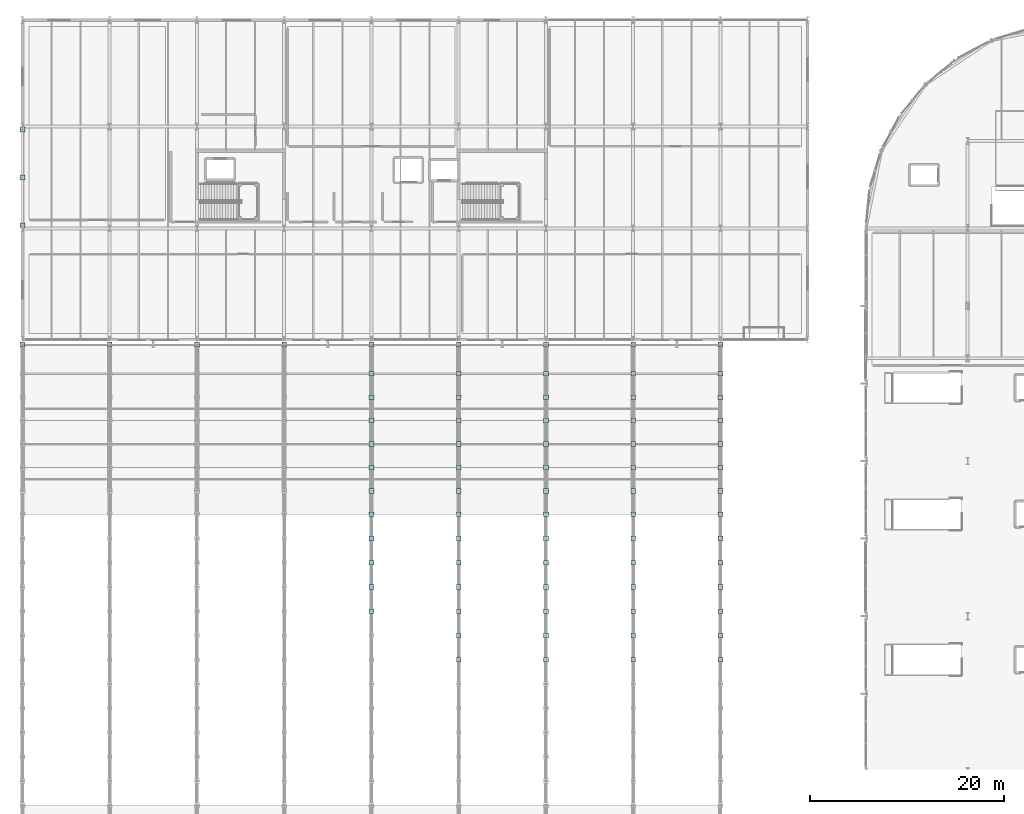
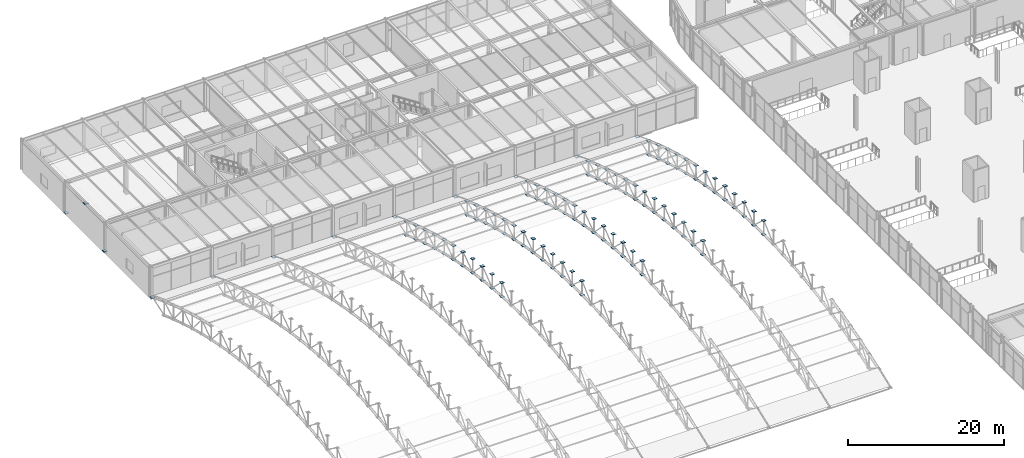
# One storey, part 105 of 195: 138 plates.
"""IFC4 building model written with IfcOpenShell, lengths in metres."""

from ifc_helpers import new_model, si_unit, direction, frame, origin, origin_2d, place, context, subcontext, project, spatial, rectangle, extrude, material, layer, layer_set, type_object, element, save


model = new_model("IFC4")

# Units and contexts
model_context = context("Model", 3, precision=1e-05, world=origin(), true_north=direction((0.0, 1.0)))
body_context = subcontext(model_context, "Body", "Model", "MODEL_VIEW")
ifc_project = project(units=[si_unit("LENGTHUNIT", "METRE"), si_unit("AREAUNIT", "SQUARE_METRE"), si_unit("VOLUMEUNIT", "CUBIC_METRE"), si_unit("PLANEANGLEUNIT", "RADIAN"), si_unit("MASSUNIT", "GRAM", prefix="KILO")], contexts=[model_context])

# Site, building, storey
site_placement = place(None, origin())
site = spatial("IfcSite", under=ifc_project, at=site_placement, CompositionType="ELEMENT")
building_placement = place(site_placement, origin())
building = spatial("IfcBuilding", under=site, at=building_placement, Name="Marlcrest Central Station", CompositionType="ELEMENT")
storey_placement = place(building_placement, frame((0.0, 0.0, 9.800048828125)))
storey = spatial("IfcBuildingStorey", under=building, at=storey_placement, Name="L02", CompositionType="ELEMENT", Elevation=9.800048828125)

# Plates
ifc_material = material(Name="Steel S355", Category="steel")
ifc_layer = layer(ifc_material, 0.02001953125, Name="GP-03")
ifc_layer_set = layer_set([ifc_layer], Name="Steel S355")
plate_type = type_object("IfcPlateType", Name="GP-03", PredefinedType="USERDEFINED", material=ifc_layer_set)
for number, where, z_axis, x_axis, name in (
    (1, (0.0, 110.800048828125, 0.239990234375), (0.0, 0.0, 1.0), (1.0, 0.0, 0.0), "plt-cap-00047"),
    (2, (0.0, 115.75, 4.739990234375), (0.0, 0.0, 1.0), (1.0, 0.0, 0.0), "plt-cap-00048"),
    (3, (0.0, 120.699951171875, 0.239990234375), (0.0, 0.0, 1.0), (1.0, 0.0, 0.0), "plt-cap-00049"),
    (4, (0.0, 98.5, 0.435791015625), (0.0, 0.0, 1.0), (1.0, 0.0, 0.0), "plt-cap-00164"),
    (5, (9.0, 98.5, 0.435791015625), (0.0, 0.0, 1.0), (1.0, 0.0, 0.0), "plt-cap-00216"),
    (6, (18.0, 98.5, 0.435791015625), (0.0, 0.0, 1.0), (1.0, 0.0, 0.0), "plt-cap-00268"),
    (7, (27.0, 98.5, 0.435791015625), (0.0, 0.0, 1.0), (1.0, 0.0, 0.0), "plt-cap-00320"),
    (8, (36.0, 71.0, 6.8349609375), (0.0, 0.0, 1.0), (1.0, 0.0, 0.0), "plt-cap-00350"),
    (9, (36.0, 71.0, 4.634765625), (0.0, 0.0, 1.0), (1.0, 0.0, 0.0), "plt-cap-00351"),
    (10, (36.0, 73.5, 4.44091796875), (0.0, 0.0, 1.0), (1.0, 0.0, 0.0), "plt-cap-00352"),
    (11, (36.0, 73.5, 6.640869140625), (0.0, 0.0, 1.0), (1.0, 0.0, 0.0), "plt-cap-00353"),
    (12, (36.0, 76.0, 6.369384765625), (0.0, 0.0, 1.0), (1.0, 0.0, 0.0), "plt-cap-00354"),
    (13, (36.0, 76.0, 4.16943359375), (0.0, 0.0, 1.0), (1.0, 0.0, 0.0), "plt-cap-00355"),
    (14, (36.0, 78.5, 3.820556640625), (0.0, 0.0, 1.0), (1.0, 0.0, 0.0), "plt-cap-00356"),
    (15, (36.0, 78.5, 6.0205078125), (0.0, 0.0, 1.0), (1.0, 0.0, 0.0), "plt-cap-00357"),
    (16, (36.0, 81.0, 5.59375), (0.0, 0.0, 1.0), (1.0, 0.0, 0.0), "plt-cap-00358"),
    (17, (36.0, 81.0, 3.393798828125), (0.0, 0.0, 1.0), (1.0, 0.0, 0.0), "plt-cap-00359"),
    (18, (36.0, 83.419921875, 2.906982421875), (0.0, 0.0, 1.0), (1.0, 0.0, 0.0), "plt-cap-00360"),
    (19, (36.0, 83.419921875, 5.10693359375), (0.0, 0.0, 1.0), (1.0, 0.0, 0.0), "plt-cap-00361"),
    (20, (36.0, 85.830078125, 4.550048828125), (0.0, 0.0, 1.0), (1.0, 0.0, 0.0), "plt-cap-00362"),
    (21, (36.0, 85.830078125, 2.349853515625), (0.0, 0.0, 1.0), (1.0, 0.0, 0.0), "plt-cap-00363"),
    (22, (36.0, 88.25, 1.718017578125), (0.0, 0.0, 1.0), (1.0, 0.0, 0.0), "plt-cap-00364"),
    (23, (36.0, 88.25, 3.91796875), (0.0, 0.0, 1.0), (1.0, 0.0, 0.0), "plt-cap-00365"),
    (24, (36.0, 90.669921875, 3.21337890625), (0.0, 0.0, 1.0), (1.0, 0.0, 0.0), "plt-cap-00366"),
    (25, (36.0, 90.669921875, 1.013427734375), (0.0, 0.0, 1.0), (1.0, 0.0, 0.0), "plt-cap-00367"),
    (26, (36.0, 93.080078125, 0.239501953125), (0.0, 0.0, 1.0), (1.0, 0.0, 0.0), "plt-cap-00368"),
    (27, (36.0, 95.5, -0.610107421875), (0.0, 0.0, 1.0), (1.0, 0.0, 0.0), "plt-cap-00369"),
    (28, (36.0, 93.080078125, 2.439453125), (0.0, 0.0, 1.0), (1.0, 0.0, 0.0), "plt-cap-00370"),
    (29, (36.0, 95.5, 1.58984375), (0.0, 0.0, 1.0), (1.0, 0.0, 0.0), "plt-cap-00371"),
    (30, (36.0, 98.5, 0.435791015625), (0.0, 0.0, 1.0), (1.0, 0.0, 0.0), "plt-cap-00372"),
    (31, (45.0, 66.0, 6.989990234375), (0.0, 0.0, 1.0), (1.0, 0.0, 0.0), "plt-cap-00398"),
    (32, (45.0, 66.0, 4.7900390625), (0.0, 0.0, 1.0), (1.0, 0.0, 0.0), "plt-cap-00399"),
    (33, (45.0, 68.5, 4.751220703125), (0.0, 0.0, 1.0), (1.0, 0.0, 0.0), "plt-cap-00400"),
    (34, (45.0, 68.5, 6.951171875), (0.0, 0.0, 1.0), (1.0, 0.0, 0.0), "plt-cap-00401"),
    (35, (45.0, 71.0, 6.8349609375), (0.0, 0.0, 1.0), (1.0, 0.0, 0.0), "plt-cap-00402"),
    (36, (45.0, 71.0, 4.634765625), (0.0, 0.0, 1.0), (1.0, 0.0, 0.0), "plt-cap-00403"),
    (37, (45.0, 73.5, 4.44091796875), (0.0, 0.0, 1.0), (1.0, 0.0, 0.0), "plt-cap-00404"),
    (38, (45.0, 73.5, 6.640869140625), (0.0, 0.0, 1.0), (1.0, 0.0, 0.0), "plt-cap-00405"),
    (39, (45.0, 76.0, 6.369384765625), (0.0, 0.0, 1.0), (1.0, 0.0, 0.0), "plt-cap-00406"),
    (40, (45.0, 76.0, 4.16943359375), (0.0, 0.0, 1.0), (1.0, 0.0, 0.0), "plt-cap-00407"),
    (41, (45.0, 78.5, 3.820556640625), (0.0, 0.0, 1.0), (1.0, 0.0, 0.0), "plt-cap-00408"),
    (42, (45.0, 78.5, 6.0205078125), (0.0, 0.0, 1.0), (1.0, 0.0, 0.0), "plt-cap-00409"),
    (43, (45.0, 81.0, 5.59375), (0.0, 0.0, 1.0), (1.0, 0.0, 0.0), "plt-cap-00410"),
    (44, (45.0, 81.0, 3.393798828125), (0.0, 0.0, 1.0), (1.0, 0.0, 0.0), "plt-cap-00411"),
    (45, (45.0, 83.419921875, 2.906982421875), (0.0, 0.0, 1.0), (1.0, 0.0, 0.0), "plt-cap-00412"),
    (46, (45.0, 83.419921875, 5.10693359375), (0.0, 0.0, 1.0), (1.0, 0.0, 0.0), "plt-cap-00413"),
    (47, (45.0, 85.830078125, 4.550048828125), (0.0, 0.0, 1.0), (1.0, 0.0, 0.0), "plt-cap-00414"),
    (48, (45.0, 85.830078125, 2.349853515625), (0.0, 0.0, 1.0), (1.0, 0.0, 0.0), "plt-cap-00415"),
    (49, (45.0, 88.25, 1.718017578125), (0.0, 0.0, 1.0), (1.0, 0.0, 0.0), "plt-cap-00416"),
    (50, (45.0, 88.25, 3.91796875), (0.0, 0.0, 1.0), (1.0, 0.0, 0.0), "plt-cap-00417"),
    (51, (45.0, 90.669921875, 3.21337890625), (0.0, 0.0, 1.0), (1.0, 0.0, 0.0), "plt-cap-00418"),
    (52, (45.0, 90.669921875, 1.013427734375), (0.0, 0.0, 1.0), (1.0, 0.0, 0.0), "plt-cap-00419"),
    (53, (45.0, 93.080078125, 0.239501953125), (0.0, 0.0, 1.0), (1.0, 0.0, 0.0), "plt-cap-00420"),
    (54, (45.0, 95.5, -0.610107421875), (0.0, 0.0, 1.0), (1.0, 0.0, 0.0), "plt-cap-00421"),
    (55, (45.0, 93.080078125, 2.439453125), (0.0, 0.0, 1.0), (1.0, 0.0, 0.0), "plt-cap-00422"),
    (56, (45.0, 95.5, 1.58984375), (0.0, 0.0, 1.0), (1.0, 0.0, 0.0), "plt-cap-00423"),
    (57, (45.0, 98.5, 0.435791015625), (0.0, 0.0, 1.0), (1.0, 0.0, 0.0), "plt-cap-00424"),
    (58, (54.0, 66.0, 6.989990234375), (0.0, 0.0, 1.0), (1.0, 0.0, 0.0), "plt-cap-00450"),
    (59, (54.0, 66.0, 4.7900390625), (0.0, 0.0, 1.0), (1.0, 0.0, 0.0), "plt-cap-00451"),
    (60, (54.0, 68.5, 4.751220703125), (0.0, 0.0, 1.0), (1.0, 0.0, 0.0), "plt-cap-00452"),
    (61, (54.0, 68.5, 6.951171875), (0.0, 0.0, 1.0), (1.0, 0.0, 0.0), "plt-cap-00453"),
    (62, (54.0, 71.0, 6.8349609375), (0.0, 0.0, 1.0), (1.0, 0.0, 0.0), "plt-cap-00454"),
    (63, (54.0, 71.0, 4.634765625), (0.0, 0.0, 1.0), (1.0, 0.0, 0.0), "plt-cap-00455"),
    (64, (54.0, 73.5, 4.44091796875), (0.0, 0.0, 1.0), (1.0, 0.0, 0.0), "plt-cap-00456"),
    (65, (54.0, 73.5, 6.640869140625), (0.0, 0.0, 1.0), (1.0, 0.0, 0.0), "plt-cap-00457"),
    (66, (54.0, 76.0, 6.369384765625), (0.0, 0.0, 1.0), (1.0, 0.0, 0.0), "plt-cap-00458"),
    (67, (54.0, 76.0, 4.16943359375), (0.0, 0.0, 1.0), (1.0, 0.0, 0.0), "plt-cap-00459"),
    (68, (54.0, 78.5, 3.820556640625), (0.0, 0.0, 1.0), (1.0, 0.0, 0.0), "plt-cap-00460"),
    (69, (54.0, 78.5, 6.0205078125), (0.0, 0.0, 1.0), (1.0, 0.0, 0.0), "plt-cap-00461"),
    (70, (54.0, 81.0, 5.59375), (0.0, 0.0, 1.0), (1.0, 0.0, 0.0), "plt-cap-00462"),
    (71, (54.0, 81.0, 3.393798828125), (0.0, 0.0, 1.0), (1.0, 0.0, 0.0), "plt-cap-00463"),
    (72, (54.0, 83.419921875, 2.906982421875), (0.0, 0.0, 1.0), (1.0, 0.0, 0.0), "plt-cap-00464"),
    (73, (54.0, 83.419921875, 5.10693359375), (0.0, 0.0, 1.0), (1.0, 0.0, 0.0), "plt-cap-00465"),
    (74, (54.0, 85.830078125, 4.550048828125), (0.0, 0.0, 1.0), (1.0, 0.0, 0.0), "plt-cap-00466"),
    (75, (54.0, 85.830078125, 2.349853515625), (0.0, 0.0, 1.0), (1.0, 0.0, 0.0), "plt-cap-00467"),
    (76, (54.0, 88.25, 1.718017578125), (0.0, 0.0, 1.0), (1.0, 0.0, 0.0), "plt-cap-00468"),
    (77, (54.0, 88.25, 3.91796875), (0.0, 0.0, 1.0), (1.0, 0.0, 0.0), "plt-cap-00469"),
    (78, (54.0, 90.669921875, 3.21337890625), (0.0, 0.0, 1.0), (1.0, 0.0, 0.0), "plt-cap-00470"),
    (79, (54.0, 90.669921875, 1.013427734375), (0.0, 0.0, 1.0), (1.0, 0.0, 0.0), "plt-cap-00471"),
    (80, (54.0, 93.080078125, 0.239501953125), (0.0, 0.0, 1.0), (1.0, 0.0, 0.0), "plt-cap-00472"),
    (81, (54.0, 95.5, -0.610107421875), (0.0, 0.0, 1.0), (1.0, 0.0, 0.0), "plt-cap-00473"),
    (82, (54.0, 93.080078125, 2.439453125), (0.0, 0.0, 1.0), (1.0, 0.0, 0.0), "plt-cap-00474"),
    (83, (54.0, 95.5, 1.58984375), (0.0, 0.0, 1.0), (1.0, 0.0, 0.0), "plt-cap-00475"),
    (84, (54.0, 98.5, 0.435791015625), (0.0, 0.0, 1.0), (1.0, 0.0, 0.0), "plt-cap-00476"),
    (85, (63.0, 66.0, 6.989990234375), (0.0, 0.0, 1.0), (1.0, 0.0, 0.0), "plt-cap-00502"),
    (86, (63.0, 66.0, 4.7900390625), (0.0, 0.0, 1.0), (1.0, 0.0, 0.0), "plt-cap-00503"),
    (87, (63.0, 68.5, 4.751220703125), (0.0, 0.0, 1.0), (1.0, 0.0, 0.0), "plt-cap-00504"),
    (88, (63.0, 68.5, 6.951171875), (0.0, 0.0, 1.0), (1.0, 0.0, 0.0), "plt-cap-00505"),
    (89, (63.0, 71.0, 6.8349609375), (0.0, 0.0, 1.0), (1.0, 0.0, 0.0), "plt-cap-00506"),
    (90, (63.0, 71.0, 4.634765625), (0.0, 0.0, 1.0), (1.0, 0.0, 0.0), "plt-cap-00507"),
    (91, (63.0, 73.5, 4.44091796875), (0.0, 0.0, 1.0), (1.0, 0.0, 0.0), "plt-cap-00508"),
    (92, (63.0, 73.5, 6.640869140625), (0.0, 0.0, 1.0), (1.0, 0.0, 0.0), "plt-cap-00509"),
    (93, (63.0, 76.0, 6.369384765625), (0.0, 0.0, 1.0), (1.0, 0.0, 0.0), "plt-cap-00510"),
    (94, (63.0, 76.0, 4.16943359375), (0.0, 0.0, 1.0), (1.0, 0.0, 0.0), "plt-cap-00511"),
    (95, (63.0, 78.5, 3.820556640625), (0.0, 0.0, 1.0), (1.0, 0.0, 0.0), "plt-cap-00512"),
    (96, (63.0, 78.5, 6.0205078125), (0.0, 0.0, 1.0), (1.0, 0.0, 0.0), "plt-cap-00513"),
    (97, (63.0, 81.0, 5.59375), (0.0, 0.0, 1.0), (1.0, 0.0, 0.0), "plt-cap-00514"),
    (98, (63.0, 81.0, 3.393798828125), (0.0, 0.0, 1.0), (1.0, 0.0, 0.0), "plt-cap-00515"),
    (99, (63.0, 83.419921875, 2.906982421875), (0.0, 0.0, 1.0), (1.0, 0.0, 0.0), "plt-cap-00516"),
    (100, (63.0, 83.419921875, 5.10693359375), (0.0, 0.0, 1.0), (1.0, 0.0, 0.0), "plt-cap-00517"),
    (101, (63.0, 85.830078125, 4.550048828125), (0.0, 0.0, 1.0), (1.0, 0.0, 0.0), "plt-cap-00518"),
    (102, (63.0, 85.830078125, 2.349853515625), (0.0, 0.0, 1.0), (1.0, 0.0, 0.0), "plt-cap-00519"),
    (103, (63.0, 88.25, 1.718017578125), (0.0, 0.0, 1.0), (1.0, 0.0, 0.0), "plt-cap-00520"),
    (104, (63.0, 88.25, 3.91796875), (0.0, 0.0, 1.0), (1.0, 0.0, 0.0), "plt-cap-00521"),
    (105, (63.0, 90.669921875, 3.21337890625), (0.0, 0.0, 1.0), (1.0, 0.0, 0.0), "plt-cap-00522"),
    (106, (63.0, 90.669921875, 1.013427734375), (0.0, 0.0, 1.0), (1.0, 0.0, 0.0), "plt-cap-00523"),
    (107, (63.0, 93.080078125, 0.239501953125), (0.0, 0.0, 1.0), (1.0, 0.0, 0.0), "plt-cap-00524"),
    (108, (63.0, 95.5, -0.610107421875), (0.0, 0.0, 1.0), (1.0, 0.0, 0.0), "plt-cap-00525"),
    (109, (63.0, 93.080078125, 2.439453125), (0.0, 0.0, 1.0), (1.0, 0.0, 0.0), "plt-cap-00526"),
    (110, (63.0, 95.5, 1.58984375), (0.0, 0.0, 1.0), (1.0, 0.0, 0.0), "plt-cap-00527"),
    (111, (63.0, 98.5, 0.435791015625), (0.0, 0.0, 1.0), (1.0, 0.0, 0.0), "plt-cap-00528"),
    (112, (72.0, 66.0, 6.989990234375), (0.0, 0.0, 1.0), (1.0, 0.0, 0.0), "plt-cap-00554"),
    (113, (72.0, 66.0, 4.7900390625), (0.0, 0.0, 1.0), (1.0, 0.0, 0.0), "plt-cap-00555"),
    (114, (72.0, 68.5, 4.751220703125), (0.0, 0.0, 1.0), (1.0, 0.0, 0.0), "plt-cap-00556"),
    (115, (72.0, 68.5, 6.951171875), (0.0, 0.0, 1.0), (1.0, 0.0, 0.0), "plt-cap-00557"),
    (116, (72.0, 71.0, 6.8349609375), (0.0, 0.0, 1.0), (1.0, 0.0, 0.0), "plt-cap-00558"),
    (117, (72.0, 71.0, 4.634765625), (0.0, 0.0, 1.0), (1.0, 0.0, 0.0), "plt-cap-00559"),
    (118, (72.0, 73.5, 4.44091796875), (0.0, 0.0, 1.0), (1.0, 0.0, 0.0), "plt-cap-00560"),
    (119, (72.0, 73.5, 6.640869140625), (0.0, 0.0, 1.0), (1.0, 0.0, 0.0), "plt-cap-00561"),
    (120, (72.0, 76.0, 6.369384765625), (0.0, 0.0, 1.0), (1.0, 0.0, 0.0), "plt-cap-00562"),
    (121, (72.0, 76.0, 4.16943359375), (0.0, 0.0, 1.0), (1.0, 0.0, 0.0), "plt-cap-00563"),
    (122, (72.0, 78.5, 3.820556640625), (0.0, 0.0, 1.0), (1.0, 0.0, 0.0), "plt-cap-00564"),
    (123, (72.0, 78.5, 6.0205078125), (0.0, 0.0, 1.0), (1.0, 0.0, 0.0), "plt-cap-00565"),
    (124, (72.0, 81.0, 5.59375), (0.0, 0.0, 1.0), (1.0, 0.0, 0.0), "plt-cap-00566"),
    (125, (72.0, 81.0, 3.393798828125), (0.0, 0.0, 1.0), (1.0, 0.0, 0.0), "plt-cap-00567"),
    (126, (72.0, 83.419921875, 2.906982421875), (0.0, 0.0, 1.0), (1.0, 0.0, 0.0), "plt-cap-00568"),
    (127, (72.0, 83.419921875, 5.10693359375), (0.0, 0.0, 1.0), (1.0, 0.0, 0.0), "plt-cap-00569"),
    (128, (72.0, 85.830078125, 4.550048828125), (0.0, 0.0, 1.0), (1.0, 0.0, 0.0), "plt-cap-00570"),
    (129, (72.0, 85.830078125, 2.349853515625), (0.0, 0.0, 1.0), (1.0, 0.0, 0.0), "plt-cap-00571"),
    (130, (72.0, 88.25, 1.718017578125), (0.0, 0.0, 1.0), (1.0, 0.0, 0.0), "plt-cap-00572"),
    (131, (72.0, 88.25, 3.91796875), (0.0, 0.0, 1.0), (1.0, 0.0, 0.0), "plt-cap-00573"),
    (132, (72.0, 90.669921875, 3.21337890625), (0.0, 0.0, 1.0), (1.0, 0.0, 0.0), "plt-cap-00574"),
    (133, (72.0, 90.669921875, 1.013427734375), (0.0, 0.0, 1.0), (1.0, 0.0, 0.0), "plt-cap-00575"),
    (134, (72.0, 93.080078125, 0.239501953125), (0.0, 0.0, 1.0), (1.0, 0.0, 0.0), "plt-cap-00576"),
    (135, (72.0, 95.5, -0.610107421875), (0.0, 0.0, 1.0), (1.0, 0.0, 0.0), "plt-cap-00577"),
    (136, (72.0, 93.080078125, 2.439453125), (0.0, 0.0, 1.0), (1.0, 0.0, 0.0), "plt-cap-00578"),
    (137, (72.0, 95.5, 1.58984375), (0.0, 0.0, 1.0), (1.0, 0.0, 0.0), "plt-cap-00579"),
    (138, (72.0, 98.5, 0.435791015625), (0.0, 0.0, 1.0), (1.0, 0.0, 0.0), "plt-cap-00580"),
):
    element("IfcPlate", number, at=place(storey_placement, frame(where, z_axis=z_axis, x_axis=x_axis)), inside=storey, type_object=plate_type, Name=name, ObjectType="GUSSET_PLATE", PredefinedType="USERDEFINED", context=body_context, shape_type="SweptSolid", body=[
        extrude(rectangle(XDim=0.5, YDim=0.5, at=origin_2d()), origin(), (0.0, 0.0, 1.0), 0.02001953125),
    ])

save(model, "model.ifc")
